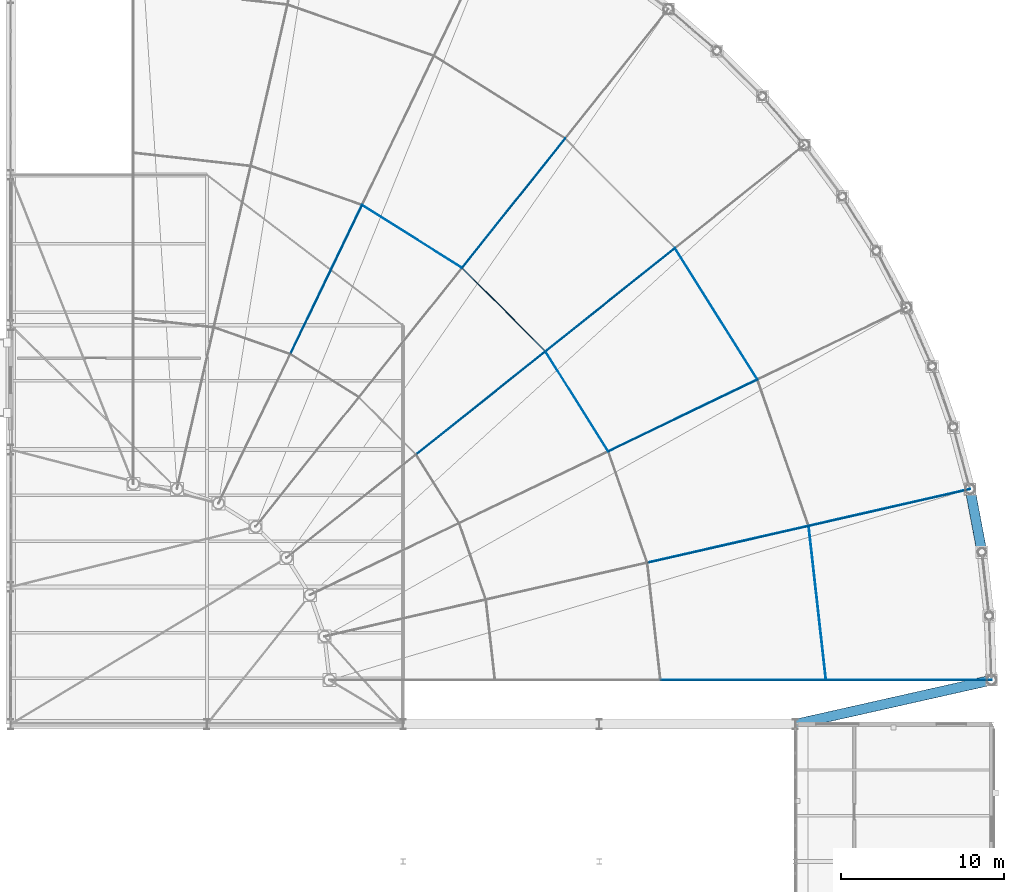
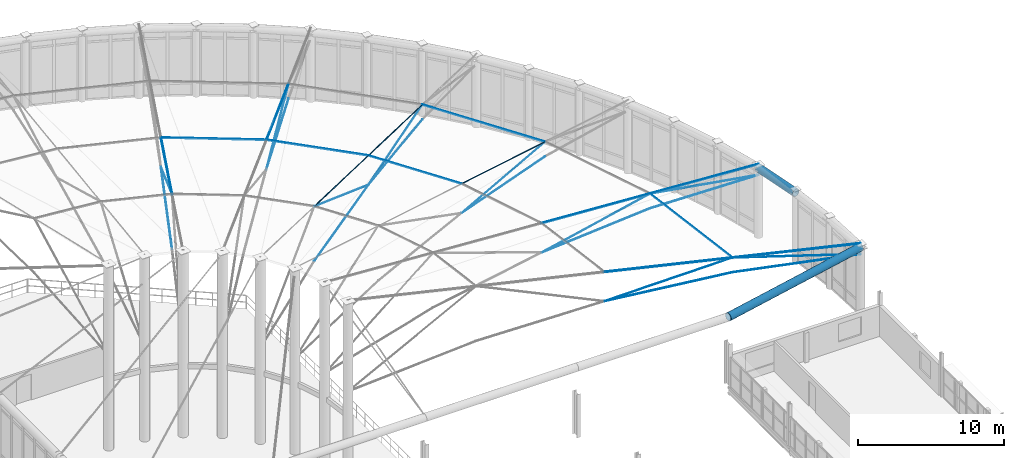
# One storey, part 56 of 101: 32 members, 2 beams.
"""IFC4 building model written with IfcOpenShell, lengths in metres."""

from ifc_helpers import new_model, si_unit, direction, frame, origin, origin_2d, place, context, subcontext, project, spatial, circle, hollow_circle, extrude, material, material_profile, profile_set, type_object, element, save


model = new_model("IFC4")

# Units and contexts
model_context = context("Model", 3, precision=1e-05, world=origin(), true_north=direction((0.0, 1.0)))
body_context = subcontext(model_context, "Body", "Model", "MODEL_VIEW")
ifc_project = project(units=[si_unit("LENGTHUNIT", "METRE"), si_unit("AREAUNIT", "SQUARE_METRE"), si_unit("VOLUMEUNIT", "CUBIC_METRE"), si_unit("PLANEANGLEUNIT", "RADIAN"), si_unit("MASSUNIT", "GRAM", prefix="KILO"), si_unit("THERMODYNAMICTEMPERATUREUNIT", "KELVIN"), si_unit("POWERUNIT", "WATT")], contexts=[model_context])

# Site, building, storey
site_placement = place(None, origin())
site = spatial("IfcSite", under=ifc_project, at=site_placement, CompositionType="ELEMENT")
building_placement = place(site_placement, origin())
building = spatial("IfcBuilding", under=site, at=building_placement, Name="Tembeka Court Mobility Hub", CompositionType="ELEMENT")
storey_placement = place(building_placement, frame((0.0, 0.0, 5.39990234375)))
storey = spatial("IfcBuildingStorey", under=building, at=storey_placement, Name="L01", CompositionType="ELEMENT", Elevation=5.39990234375)

# Beams
ifc_material_1 = material(Name="Steel S355", Category="steel")
ifc_material_profile_1 = material_profile(ifc_material_1, hollow_circle(Radius=0.304931640625, WallThickness=0.02001953125, at=origin_2d()), Name="CHS 610x20")
ifc_profile_set_1 = profile_set([ifc_material_profile_1], Name="Steel S355")
beam_type = type_object("IfcBeamType", Name="BM-RB01", PredefinedType="BEAM", material=ifc_profile_set_1)
beam_1_placement = place(storey_placement, frame((164.39990234375, 63.60009765625, 5.695068359375), z_axis=(0.975610606249, 0.219508416636, 0.0), x_axis=(-0.219508416636, 0.975610606249, 0.0)))
element("IfcBeam", 1, at=beam_1_placement, inside=storey, type_object=beam_type, Name="Concourse inner chord ring beam RB01-CH12", PredefinedType="BEAM", context=body_context, shape_type="SweptSolid", body=[
    extrude(hollow_circle(Radius=0.304931640625, WallThickness=0.02001953125, at=origin_2d()), origin(), (0.0, 0.0, 1.0), 12.300048828125),
])
beam_2_placement = place(storey_placement, frame((175.813720703125, 74.124755859375, 5.695068359375), z_axis=(-0.185928986906, 0.982563184649, 0.0), x_axis=(-0.982563184649, -0.185928986906, 0.0)))
element("IfcBeam", 2, at=beam_2_placement, inside=storey, type_object=beam_type, Name="Concourse compression ring beam RB01-03", PredefinedType="BEAM", context=body_context, shape_type="SweptSolid", body=[
    extrude(hollow_circle(Radius=0.304931640625, WallThickness=0.02001953125, at=origin_2d()), origin(), (0.0, 0.0, 1.0), 3.926025390625),
])

# Members
ifc_material_2 = material(Name="Steel S460", Category="steel")
ifc_material_profile_2 = material_profile(ifc_material_2, circle(Radius=0.031982421875, at=origin_2d()), Name="CABLE D64")
ifc_profile_set_2 = profile_set([ifc_material_profile_2], Name="Steel S460")
member_type_1 = type_object("IfcMemberType", Name="MEM-CB01", PredefinedType="USERDEFINED", material=ifc_profile_set_2)
for number, where, z_axis, x_axis, name in (
    (3, (156.14990234375, 66.300048828125, 10.7001953125), (0.974104590881, 0.0, -0.226097868244), (0.0, 1.0, 0.0), "Concourse radial ridge cable CB01-1-3"),
    (4, (166.27490234375, 66.300048828125, 8.35009765625), (0.974104590881, 0.0, -0.226097868244), (0.0, 1.0, 0.0), "Concourse radial ridge cable CB01-1-4"),
    (5, (155.34130859375, 73.476318359375, 10.7001953125), (0.949683147102, 0.21675099133, -0.226099376088), (-0.222513137948, 0.974929691537, 0.0), "Concourse radial ridge cable CB01-2-3"),
):
    element("IfcMember", number, at=place(storey_placement, frame(where, z_axis=z_axis, x_axis=x_axis)), inside=storey, type_object=member_type_1, Name=name, ObjectType="CABLE", PredefinedType="USERDEFINED", context=body_context, shape_type="SweptSolid", body=[
        extrude(circle(Radius=0.031982421875, at=origin_2d()), origin(), (0.0, 0.0, 1.0), 10.39404296875),
    ])
member_1_placement = place(storey_placement, frame((165.21240234375, 75.729248046875, 8.35009765625), z_axis=(0.949680616297, 0.216768540741, -0.226093181621), x_axis=(-0.22253082544, 0.974925654462, 0.0)))
element("IfcMember", 6, at=member_1_placement, inside=storey, type_object=member_type_1, Name="Concourse radial ridge cable CB01-2-4", ObjectType="CABLE", PredefinedType="USERDEFINED", context=body_context, shape_type="SweptSolid", body=[
    extrude(circle(Radius=0.031982421875, at=origin_2d()), origin(), (0.0, 0.0, 1.0), 10.394287109375),
])
for number, where, z_axis, x_axis, name in (
    (7, (152.956298828125, 80.292724609375, 10.7001953125), (0.877638243854, 0.422647465808, -0.226097838494), (-0.433883041686, 0.900969203767, 0.0), "Concourse radial ridge cable CB01-3-3"),
    (8, (141.197998046875, 80.0947265625, 13.050048828125), (0.76159255359, 0.607343284548, -0.226077236871), (-0.62348571671, 0.781834740248, 0.0), "Concourse radial ridge cable CB01-4-2"),
):
    element("IfcMember", number, at=place(storey_placement, frame(where, z_axis=z_axis, x_axis=x_axis)), inside=storey, type_object=member_type_1, Name=name, ObjectType="CABLE", PredefinedType="USERDEFINED", context=body_context, shape_type="SweptSolid", body=[
        extrude(circle(Radius=0.031982421875, at=origin_2d()), origin(), (0.0, 0.0, 1.0), 10.39404296875),
    ])
member_2_placement = place(storey_placement, frame((149.114013671875, 86.407470703125, 10.7001953125), z_axis=(0.761577644798, 0.607354883394, -0.22609629931), x_axis=(-0.623500455726, 0.781822986173, 0.0)))
element("IfcMember", 9, at=member_2_placement, inside=storey, type_object=member_type_1, Name="Concourse radial ridge cable CB01-4-3", ObjectType="CABLE", PredefinedType="USERDEFINED", context=body_context, shape_type="SweptSolid", body=[
    extrude(circle(Radius=0.031982421875, at=origin_2d()), origin(), (0.0, 0.0, 1.0), 10.394287109375),
])
for number, where, z_axis, x_axis, name in (
    (10, (144.007568359375, 91.51416015625, 10.7001953125), (0.607340059276, 0.761588509184, -0.226099524716), (-0.781834740248, 0.62348571671, 0.0), "Concourse radial ridge cable CB01-5-3"),
    (11, (133.499755859375, 86.23388671875, 13.050048828125), (0.422630417374, 0.877651617029, -0.2260777951), (-0.900978629657, 0.433863468043, 0.0), "Concourse radial ridge cable CB01-6-2"),
):
    element("IfcMember", number, at=place(storey_placement, frame(where, z_axis=z_axis, x_axis=x_axis)), inside=storey, type_object=member_type_1, Name=name, ObjectType="CABLE", PredefinedType="USERDEFINED", context=body_context, shape_type="SweptSolid", body=[
        extrude(circle(Radius=0.031982421875, at=origin_2d()), origin(), (0.0, 0.0, 1.0), 10.39404296875),
    ])
ifc_material_profile_3 = material_profile(ifc_material_2, circle(Radius=0.02392578125, at=origin_2d()), Name="CABLE D48")
ifc_profile_set_3 = profile_set([ifc_material_profile_3], Name="Steel S460")
member_type_2 = type_object("IfcMemberType", Name="MEM-CB02", PredefinedType="USERDEFINED", material=ifc_profile_set_3)
member_3_placement = place(storey_placement, frame((156.14990234375, 66.300048828125, 8.25), z_axis=(0.993883734674, 0.0, -0.110431526075), x_axis=(0.0, 1.0, 0.0)))
element("IfcMember", 12, at=member_3_placement, inside=storey, type_object=member_type_2, Name="Concourse radial valley cable CB02-1-3", ObjectType="CABLE", PredefinedType="USERDEFINED", context=body_context, shape_type="SweptSolid", body=[
    extrude(circle(Radius=0.02392578125, at=origin_2d()), origin(), (0.0, 0.0, 1.0), 10.187255859375),
])
member_4_placement = place(storey_placement, frame((166.27490234375, 66.300048828125, 7.125), z_axis=(0.980582494452, 0.0, -0.196107041112), x_axis=(0.0, 1.0, 0.0)))
element("IfcMember", 13, at=member_4_placement, inside=storey, type_object=member_type_2, Name="Concourse radial valley cable CB02-1-4", ObjectType="CABLE", PredefinedType="USERDEFINED", context=body_context, shape_type="SweptSolid", body=[
    extrude(circle(Radius=0.02392578125, at=origin_2d()), origin(), (0.0, 0.0, 1.0), 10.325439453125),
])
member_5_placement = place(storey_placement, frame((155.34130859375, 73.476318359375, 8.25), z_axis=(0.968966679818, 0.221152169602, -0.110432292753), x_axis=(-0.222513137948, 0.974929691537, 0.0)))
element("IfcMember", 14, at=member_5_placement, inside=storey, type_object=member_type_2, Name="Concourse radial valley cable CB02-2-3", ObjectType="CABLE", PredefinedType="USERDEFINED", context=body_context, shape_type="SweptSolid", body=[
    extrude(circle(Radius=0.02392578125, at=origin_2d()), origin(), (0.0, 0.0, 1.0), 10.187255859375),
])
member_6_placement = place(storey_placement, frame((165.21240234375, 75.729248046875, 7.125), z_axis=(0.955995833295, 0.218210015222, -0.196102921904), x_axis=(-0.22253082544, 0.974925654462, 0.0)))
element("IfcMember", 15, at=member_6_placement, inside=storey, type_object=member_type_2, Name="Concourse radial valley cable CB02-2-4", ObjectType="CABLE", PredefinedType="USERDEFINED", context=body_context, shape_type="SweptSolid", body=[
    extrude(circle(Radius=0.02392578125, at=origin_2d()), origin(), (0.0, 0.0, 1.0), 10.32568359375),
])
member_7_placement = place(storey_placement, frame((152.956298828125, 80.292724609375, 8.25), z_axis=(0.895458638581, 0.431229298612, -0.110431510948), x_axis=(-0.433883041686, 0.900969203767, 0.0)))
element("IfcMember", 16, at=member_7_placement, inside=storey, type_object=member_type_2, Name="Concourse radial valley cable CB02-3-3", ObjectType="CABLE", PredefinedType="USERDEFINED", context=body_context, shape_type="SweptSolid", body=[
    extrude(circle(Radius=0.02392578125, at=origin_2d()), origin(), (0.0, 0.0, 1.0), 10.187255859375),
])
member_8_placement = place(storey_placement, frame((141.197998046875, 80.0947265625, 8.47509765625), z_axis=(0.781641595634, 0.623331690671, -0.02222654673), x_axis=(-0.62348571671, 0.781834740248, 0.0)))
element("IfcMember", 17, at=member_8_placement, inside=storey, type_object=member_type_2, Name="Concourse radial valley cable CB02-4-2", ObjectType="CABLE", PredefinedType="USERDEFINED", context=body_context, shape_type="SweptSolid", body=[
    extrude(circle(Radius=0.02392578125, at=origin_2d()), origin(), (0.0, 0.0, 1.0), 10.12744140625),
])
member_9_placement = place(storey_placement, frame((149.114013671875, 86.407470703125, 8.25), z_axis=(0.77704121865, 0.619687016773, -0.110430728335), x_axis=(-0.623500455726, 0.781822986173, 0.0)))
element("IfcMember", 18, at=member_9_placement, inside=storey, type_object=member_type_2, Name="Concourse radial valley cable CB02-4-3", ObjectType="CABLE", PredefinedType="USERDEFINED", context=body_context, shape_type="SweptSolid", body=[
    extrude(circle(Radius=0.02392578125, at=origin_2d()), origin(), (0.0, 0.0, 1.0), 10.1875),
])
member_10_placement = place(storey_placement, frame((144.007568359375, 91.51416015625, 8.25), z_axis=(0.619672254291, 0.777052758368, -0.110432368325), x_axis=(-0.781834740248, 0.62348571671, 0.0)))
element("IfcMember", 19, at=member_10_placement, inside=storey, type_object=member_type_2, Name="Concourse radial valley cable CB02-5-3", ObjectType="CABLE", PredefinedType="USERDEFINED", context=body_context, shape_type="SweptSolid", body=[
    extrude(circle(Radius=0.02392578125, at=origin_2d()), origin(), (0.0, 0.0, 1.0), 10.187255859375),
])
member_11_placement = place(storey_placement, frame((133.499755859375, 86.23388671875, 8.47509765625), z_axis=(0.433756285765, 0.900756050554, -0.022226604539), x_axis=(-0.900978629657, 0.433863468043, 0.0)))
element("IfcMember", 20, at=member_11_placement, inside=storey, type_object=member_type_2, Name="Concourse radial valley cable CB02-6-2", ObjectType="CABLE", PredefinedType="USERDEFINED", context=body_context, shape_type="SweptSolid", body=[
    extrude(circle(Radius=0.02392578125, at=origin_2d()), origin(), (0.0, 0.0, 1.0), 10.12744140625),
])
member_12_placement = place(storey_placement, frame((166.27490234375, 66.300048828125, 8.35009765625), z_axis=(-0.111973259549, 0.993711220197, 0.0), x_axis=(-0.993711220197, -0.111973259549, 0.0)))
element("IfcMember", 21, at=member_12_placement, inside=storey, type_object=member_type_2, Name="Concourse circumferential hoop cable CB02-B1-3", ObjectType="CABLE", PredefinedType="USERDEFINED", context=body_context, shape_type="SweptSolid", body=[
    extrude(circle(Radius=0.02392578125, at=origin_2d()), origin(), (0.0, 0.0, 1.0), 9.48876953125),
])
member_13_placement = place(storey_placement, frame((152.956298828125, 80.292724609375, 10.7001953125), z_axis=(-0.532045531756, 0.846715744591, 0.0), x_axis=(-0.846715744591, -0.532045531756, 0.0)))
element("IfcMember", 22, at=member_13_placement, inside=storey, type_object=member_type_2, Name="Concourse circumferential hoop cable CB02-B3-2", ObjectType="CABLE", PredefinedType="USERDEFINED", context=body_context, shape_type="SweptSolid", body=[
    extrude(circle(Radius=0.02392578125, at=origin_2d()), origin(), (0.0, 0.0, 1.0), 7.2216796875),
])
member_14_placement = place(storey_placement, frame((162.07861328125, 84.685791015625, 8.35009765625), z_axis=(-0.532037175852, 0.846720995081, 0.0), x_axis=(-0.846720995081, -0.532037175852, 0.0)))
element("IfcMember", 23, at=member_14_placement, inside=storey, type_object=member_type_2, Name="Concourse circumferential hoop cable CB02-B3-3", ObjectType="CABLE", PredefinedType="USERDEFINED", context=body_context, shape_type="SweptSolid", body=[
    extrude(circle(Radius=0.02392578125, at=origin_2d()), origin(), (0.0, 0.0, 1.0), 9.4892578125),
])
for number, where, z_axis, x_axis, name in (
    (24, (149.114013671875, 86.407470703125, 10.7001953125), (-0.707089877899, 0.70712368407, 0.0), (-0.70712368407, -0.707089877899, 0.0), "Concourse circumferential hoop cable CB02-B4-2"),
    (25, (144.007568359375, 91.51416015625, 10.7001953125), (-0.846740542577, 0.532006065338, 0.0), (-0.532006065338, -0.846740542577, 0.0), "Concourse circumferential hoop cable CB02-B5-2"),
):
    element("IfcMember", number, at=place(storey_placement, frame(where, z_axis=z_axis, x_axis=x_axis)), inside=storey, type_object=member_type_2, Name=name, ObjectType="CABLE", PredefinedType="USERDEFINED", context=body_context, shape_type="SweptSolid", body=[
        extrude(circle(Radius=0.02392578125, at=origin_2d()), origin(), (0.0, 0.0, 1.0), 7.2216796875),
    ])
ifc_material_profile_4 = material_profile(ifc_material_2, circle(Radius=0.01806640625, at=origin_2d()), Name="CABLE D36")
ifc_profile_set_4 = profile_set([ifc_material_profile_4], Name="Steel S460")
member_type_3 = type_object("IfcMemberType", Name="MEM-CB03", PredefinedType="USERDEFINED", material=ifc_profile_set_4)
member_15_placement = place(storey_placement, frame((156.14990234375, 66.300048828125, 8.25), z_axis=(0.999951135223, 0.0, 0.009885705185), x_axis=(0.0, 1.0, 0.0)))
element("IfcMember", 26, at=member_15_placement, inside=storey, type_object=member_type_3, Name="Concourse Jawerth web cable CB03-1-3", ObjectType="CABLE", PredefinedType="USERDEFINED", context=body_context, shape_type="SweptSolid", body=[
    extrude(circle(Radius=0.01806640625, at=origin_2d()), origin(), (0.0, 0.0, 1.0), 10.12548828125),
])
member_16_placement = place(storey_placement, frame((166.27490234375, 66.300048828125, 8.35009765625), z_axis=(0.952150791062, 0.0, -0.305628648983), x_axis=(0.0, 1.0, 0.0)))
element("IfcMember", 27, at=member_16_placement, inside=storey, type_object=member_type_3, Name="Concourse Jawerth web cable CB03-1-4", ObjectType="CABLE", PredefinedType="USERDEFINED", context=body_context, shape_type="SweptSolid", body=[
    extrude(circle(Radius=0.01806640625, at=origin_2d()), origin(), (0.0, 0.0, 1.0), 10.6337890625),
])
member_17_placement = place(storey_placement, frame((155.34130859375, 73.476318359375, 8.25), z_axis=(0.974882051145, 0.22250226474, 0.009885774658), x_axis=(-0.222513137948, 0.974929691537, 0.0)))
element("IfcMember", 28, at=member_17_placement, inside=storey, type_object=member_type_3, Name="Concourse Jawerth web cable CB03-2-3", ObjectType="CABLE", PredefinedType="USERDEFINED", context=body_context, shape_type="SweptSolid", body=[
    extrude(circle(Radius=0.01806640625, at=origin_2d()), origin(), (0.0, 0.0, 1.0), 10.12548828125),
])
member_18_placement = place(storey_placement, frame((165.21240234375, 75.729248046875, 8.35009765625), z_axis=(0.92827812727, 0.211883333826, -0.305622596152), x_axis=(-0.22253082544, 0.974925654462, 0.0)))
element("IfcMember", 29, at=member_18_placement, inside=storey, type_object=member_type_3, Name="Concourse Jawerth web cable CB03-2-4", ObjectType="CABLE", PredefinedType="USERDEFINED", context=body_context, shape_type="SweptSolid", body=[
    extrude(circle(Radius=0.01806640625, at=origin_2d()), origin(), (0.0, 0.0, 1.0), 10.634033203125),
])
member_19_placement = place(storey_placement, frame((152.956298828125, 80.292724609375, 8.25), z_axis=(0.90092517812, 0.433861840093, 0.009885703815), x_axis=(-0.433883041686, 0.900969203767, 0.0)))
element("IfcMember", 30, at=member_19_placement, inside=storey, type_object=member_type_3, Name="Concourse Jawerth web cable CB03-3-3", ObjectType="CABLE", PredefinedType="USERDEFINED", context=body_context, shape_type="SweptSolid", body=[
    extrude(circle(Radius=0.01806640625, at=origin_2d()), origin(), (0.0, 0.0, 1.0), 10.12548828125),
])
member_20_placement = place(storey_placement, frame((141.197998046875, 80.0947265625, 13.050048828125), z_axis=(0.70646472686, 0.563380780978, -0.428380304552), x_axis=(-0.62348571671, 0.781834740248, 0.0)))
element("IfcMember", 31, at=member_20_placement, inside=storey, type_object=member_type_3, Name="Concourse Jawerth web cable CB03-4-2", ObjectType="CABLE", PredefinedType="USERDEFINED", context=body_context, shape_type="SweptSolid", body=[
    extrude(circle(Radius=0.01806640625, at=origin_2d()), origin(), (0.0, 0.0, 1.0), 11.205078125),
])
for number, where, z_axis, x_axis, name in (
    (32, (149.114013671875, 86.407470703125, 8.25), (0.781784783126, 0.623469988961, 0.009885632898), (-0.623500455726, 0.781822986173, 0.0), "Concourse Jawerth web cable CB03-4-3"),
    (33, (144.007568359375, 91.51416015625, 8.25), (0.623455249749, 0.781796535478, 0.009885781506), (-0.781834740248, 0.62348571671, 0.0), "Concourse Jawerth web cable CB03-5-3"),
):
    element("IfcMember", number, at=place(storey_placement, frame(where, z_axis=z_axis, x_axis=x_axis)), inside=storey, type_object=member_type_3, Name=name, ObjectType="CABLE", PredefinedType="USERDEFINED", context=body_context, shape_type="SweptSolid", body=[
        extrude(circle(Radius=0.01806640625, at=origin_2d()), origin(), (0.0, 0.0, 1.0), 10.12548828125),
    ])
member_21_placement = place(storey_placement, frame((133.499755859375, 86.23388671875, 13.050048828125), z_axis=(0.392038207436, 0.814122582163, -0.428381214717), x_axis=(-0.900978629657, 0.433863468043, 0.0)))
element("IfcMember", 34, at=member_21_placement, inside=storey, type_object=member_type_3, Name="Concourse Jawerth web cable CB03-6-2", ObjectType="CABLE", PredefinedType="USERDEFINED", context=body_context, shape_type="SweptSolid", body=[
    extrude(circle(Radius=0.01806640625, at=origin_2d()), origin(), (0.0, 0.0, 1.0), 11.205078125),
])

save(model, "model.ifc")
